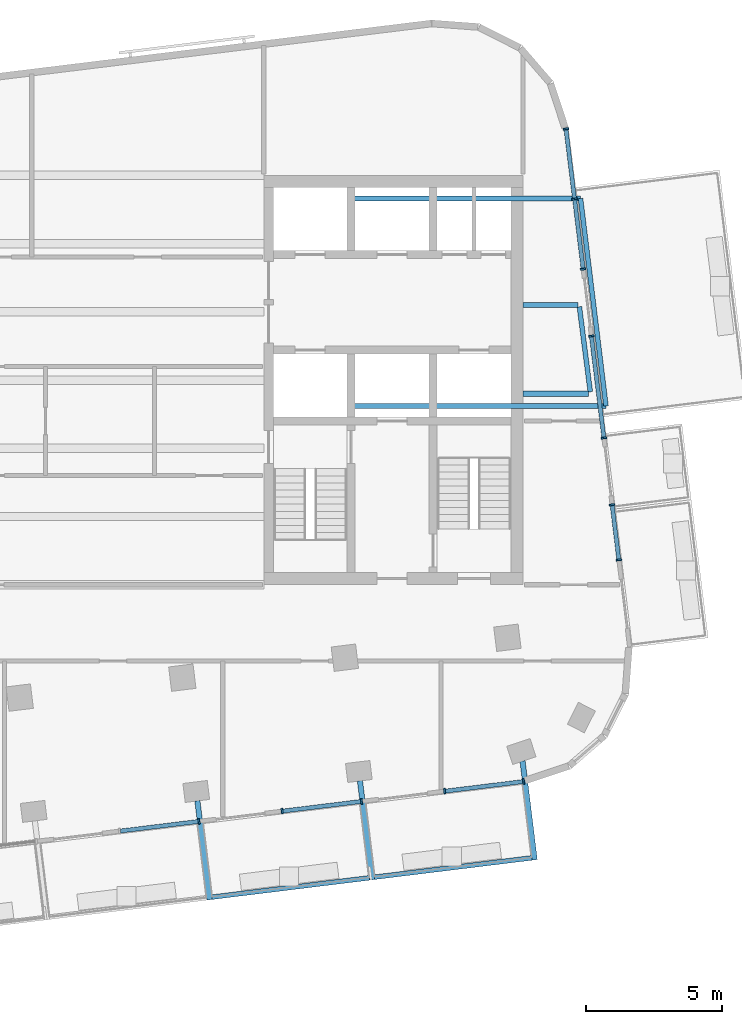
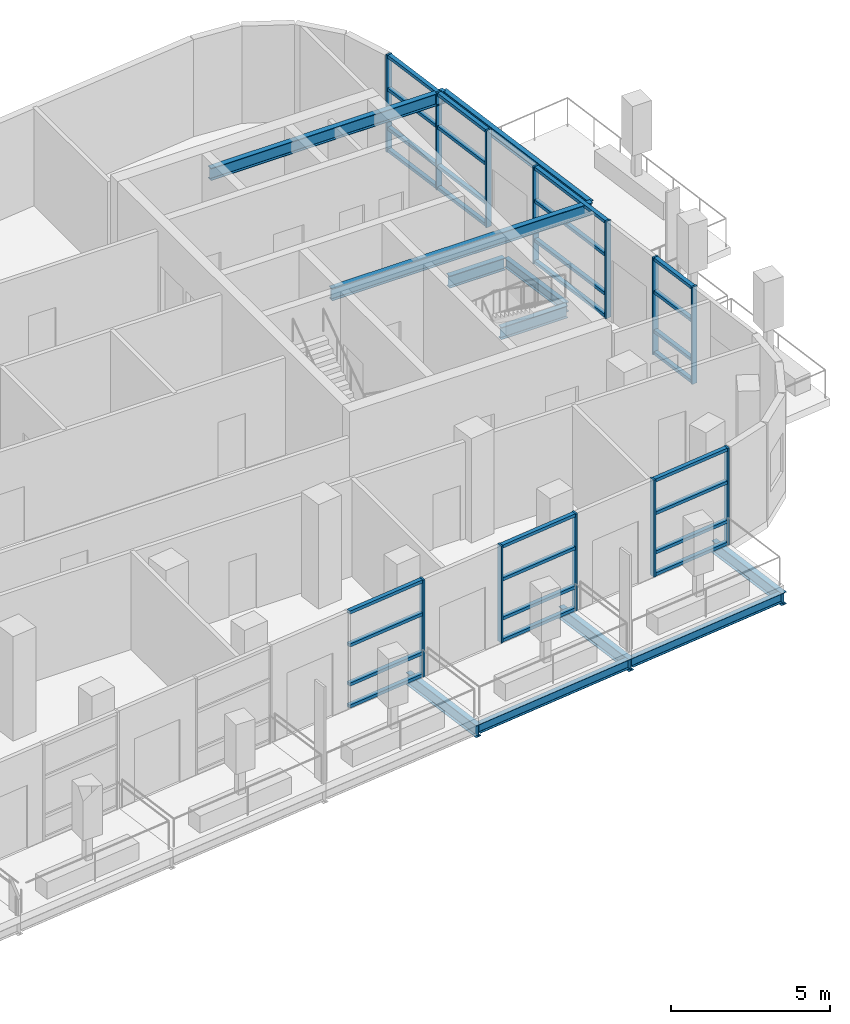
# One storey, part 4 of 14: 40 members, 11 beams, 6 elements without a shape of their own.
"""IFC4 building model written with IfcOpenShell, lengths in metres."""

import ifcopenshell
import ifcopenshell.guid

model = None  # the IFC model being written
_history = None  # IfcOwnerHistory: only IFC2X3 demands one
_inside = {}  # id of a spatial element -> (the spatial element, [elements in it])
_under = {}  # id of a project, library or spatial element -> (it, [spatial elements below it])
_declared = {}  # id of a project -> (the project, [libraries it declares])
_typed = {}  # id of a type object -> (the type object, [elements of that type])
_made_of = {}  # id of a material, layer set ... -> (it, [elements and type objects made of it])


def new_model(schema):
    """Start an empty IFC model of exactly this schema.

    Asked for "IFC4X3", IfcOpenShell would pick the latest addendum, in which some entities
    have other attributes; the version numbers below select the first issue.
    IFC2X3 requires an IfcOwnerHistory on every rooted entity: one is made here for all.
    """
    global model, _history
    if schema == "IFC4X3":
        model = ifcopenshell.file(schema_version=(4, 3, 0, 0))
    else:
        model = ifcopenshell.file(schema=schema)
    _inside.clear()
    _under.clear()
    _declared.clear()
    _typed.clear()
    _made_of.clear()
    _history = None
    if model.schema == "IFC2X3":
        org = make("IfcOrganization", Name="unknown")
        user = make(
            "IfcPersonAndOrganization",
            ThePerson=make("IfcPerson", FamilyName="unknown"),
            TheOrganization=org,
        )
        app = make(
            "IfcApplication",
            ApplicationDeveloper=org,
            Version="unknown",
            ApplicationFullName="unknown",
            ApplicationIdentifier="unknown",
        )
        _history = make(
            "IfcOwnerHistory",
            OwningUser=user,
            OwningApplication=app,
            ChangeAction="ADDED",
            CreationDate=0,
        )
    return model


def make(cls, **values):
    """One entity of the class cls with the attributes given. An attribute that is None is left unset."""
    return model.create_entity(
        cls, **{name: value for name, value in values.items() if value is not None}
    )


def rooted(cls, **values):
    """An entity with a GlobalId (a new one), such as an element, a storey or a relation."""
    return make(cls, GlobalId=ifcopenshell.guid.new(), OwnerHistory=_history, **values)


def si_unit(unit_type, name, prefix=None):
    """IfcSIUnit, for example si_unit("LENGTHUNIT", "METRE", prefix="MILLI")."""
    return make("IfcSIUnit", UnitType=unit_type, Prefix=prefix, Name=name)


def assignment(units):
    """IfcUnitAssignment: the units of a project."""
    return None if units is None else make("IfcUnitAssignment", Units=units)


def point(xyz):
    """IfcCartesianPoint."""
    return None if xyz is None else make("IfcCartesianPoint", Coordinates=xyz)


def direction(xyz):
    """IfcDirection."""
    return None if xyz is None else make("IfcDirection", DirectionRatios=xyz)


def frame(location, z_axis=None, x_axis=None):
    """IfcAxis2Placement3D, a coordinate frame: its origin and axes. An axis left out is left unset."""
    return make(
        "IfcAxis2Placement3D",
        Location=point(location),
        Axis=direction(z_axis),
        RefDirection=direction(x_axis),
    )


def frame_2d(location, x_axis=None):
    """IfcAxis2Placement2D, a coordinate frame in the plane: its origin and x axis."""
    return make(
        "IfcAxis2Placement2D", Location=point(location), RefDirection=direction(x_axis)
    )


def origin():
    """The frame at (0, 0, 0) with its axes left unset."""
    return frame((0.0, 0.0, 0.0))


def origin_2d():
    """The frame at (0, 0) in the plane with its x axis left unset."""
    return frame_2d((0.0, 0.0))


def place(relative_to, where):
    """IfcLocalPlacement: puts the frame where relative to a parent placement (None: the world)."""
    return make(
        "IfcLocalPlacement", PlacementRelTo=relative_to, RelativePlacement=where
    )


def context(
    kind, dimensions, precision=None, world=None, true_north=None, identifier=None
):
    """IfcGeometricRepresentationContext, for example the 3D "Model" context."""
    return make(
        "IfcGeometricRepresentationContext",
        ContextIdentifier=identifier,
        ContextType=kind,
        CoordinateSpaceDimension=dimensions,
        Precision=precision,
        WorldCoordinateSystem=world,
        TrueNorth=true_north,
    )


def subcontext(parent, identifier, kind, view, scale=None):
    """IfcGeometricRepresentationSubContext, for example "Body" below "Model"."""
    return make(
        "IfcGeometricRepresentationSubContext",
        ContextIdentifier=identifier,
        ContextType=kind,
        ParentContext=parent,
        TargetScale=scale,
        TargetView=view,
    )


def project(units=None, contexts=None):
    """IfcProject with its units and contexts."""
    return rooted(
        "IfcProject",
        Name="project",
        RepresentationContexts=contexts,
        UnitsInContext=assignment(units),
    )


def spatial(cls, under=None, at=None, **own):
    """A site, building, storey or space (cls), placed at a placement, below another one or the project."""
    s = rooted(cls, ObjectPlacement=at, **own)
    if under is not None:
        _under.setdefault(under.id(), (under, []))[1].append(s)
    return s


def profile(cls, at=None, kind="AREA", **sizes):
    """A parametric profile (cls). Its sizes go by their IFC names, for example OverallWidth=200.0."""
    return make(cls, ProfileType=kind, Position=at, **sizes)


def rectangle(**sizes):
    """IfcRectangleProfileDef."""
    return profile("IfcRectangleProfileDef", **sizes)


def i_section(**sizes):
    """IfcIShapeProfileDef."""
    return profile("IfcIShapeProfileDef", **sizes)


def extrude(swept, where, along, depth):
    """IfcExtrudedAreaSolid: the profile swept, set in the frame where, extruded along a direction by depth."""
    return make(
        "IfcExtrudedAreaSolid",
        SweptArea=swept,
        Position=where,
        ExtrudedDirection=direction(along),
        Depth=depth,
    )


def shape(context_of_items, identifier, shape_type, items):
    """IfcShapeRepresentation: the items that make up one representation, for example the "Body"."""
    return make(
        "IfcShapeRepresentation",
        ContextOfItems=context_of_items,
        RepresentationIdentifier=identifier,
        RepresentationType=shape_type,
        Items=items,
    )


def material(Name=None, Category=None):
    """IfcMaterial."""
    return make("IfcMaterial", Name=Name, Category=Category)


def layer(
    of_material, thickness, ventilated=None, Name=None, Category=None, Priority=None
):
    """IfcMaterialLayer: one layer of a wall or slab, of a material (None: an air gap)."""
    return make(
        "IfcMaterialLayer",
        Material=of_material,
        LayerThickness=thickness,
        IsVentilated=ventilated,
        Name=Name,
        Category=Category,
        Priority=Priority,
    )


def layer_set(layers, Name=None):
    """IfcMaterialLayerSet."""
    return make("IfcMaterialLayerSet", MaterialLayers=layers, LayerSetName=Name)


def material_profile(
    of_material, cross_section, Name=None, Category=None, Priority=None
):
    """IfcMaterialProfile: a cross section and its material."""
    return make(
        "IfcMaterialProfile",
        Name=Name,
        Material=of_material,
        Profile=cross_section,
        Priority=Priority,
        Category=Category,
    )


def profile_set(profiles, Name=None, composite=None):
    """IfcMaterialProfileSet."""
    return make(
        "IfcMaterialProfileSet",
        Name=Name,
        MaterialProfiles=profiles,
        CompositeProfile=composite,
    )


def made_of(thing, what):
    """Note that an element or type object is made of a material, layer set ...; save() writes the relation."""
    if what is not None:
        _made_of.setdefault(what.id(), (what, []))[1].append(thing)
    return thing


def type_object(cls, material=None, **own):
    """A type object (cls), such as IfcWallType, which elements share."""
    return made_of(rooted(cls, **own), material)


def element(
    cls,
    number,
    at=None,
    inside=None,
    cuts=None,
    type_object=None,
    material=None,
    context=None,
    identifier="Body",
    shape_type=None,
    held_by="IfcProductDefinitionShape",
    body=None,
    shapes=None,
    **own,
):
    """One element of the class cls, such as IfcWall. Its Tag is "e" and its number.

    at: its placement. inside: the storey or other place that contains it. cuts: it is an
    opening in that element (IfcRelVoidsElement). A single representation is given by context,
    identifier, shape_type and body (its items); several are given by shapes. held_by: the class
    of the entity that holds the representations. save() writes the other relations.
    """
    e = rooted(cls, Tag="e%d" % number, ObjectPlacement=at, **own)
    if body is not None:
        shapes = [shape(context, identifier, shape_type, body)]
    if shapes is not None:
        e.Representation = make(held_by, Representations=shapes)
    if inside is not None:
        _inside.setdefault(inside.id(), (inside, []))[1].append(e)
    if cuts is not None:
        rooted(
            "IfcRelVoidsElement", RelatingBuildingElement=cuts, RelatedOpeningElement=e
        )
    if type_object is not None:
        _typed.setdefault(type_object.id(), (type_object, []))[1].append(e)
    return made_of(e, material)


def aggregate(whole, parts):
    """IfcRelAggregates: a whole, such as a stair, and the parts it consists of."""
    return rooted("IfcRelAggregates", RelatingObject=whole, RelatedObjects=parts)


def save(model, path):
    """Write the relations noted so far, then the file.

    IfcRelAggregates (storeys below a building ...), IfcRelContainedInSpatialStructure (elements
    in a storey), IfcRelDefinesByType, IfcRelAssociatesMaterial and IfcRelDeclares: one each for
    every whole, place, type object, material and project.
    """
    for whole, parts in _under.values():
        aggregate(whole, parts)
    for where, things in _inside.values():
        rooted(
            "IfcRelContainedInSpatialStructure",
            RelatedElements=things,
            RelatingStructure=where,
        )
    for kind, things in _typed.values():
        rooted("IfcRelDefinesByType", RelatedObjects=things, RelatingType=kind)
    for what, things in _made_of.values():
        rooted("IfcRelAssociatesMaterial", RelatedObjects=things, RelatingMaterial=what)
    for by, libraries in _declared.values():
        rooted("IfcRelDeclares", RelatingContext=by, RelatedDefinitions=libraries)
    model.write(path)


model = new_model("IFC4")

# Units and contexts
model_context = context("Model", 3, precision=1e-05, world=origin(), true_north=direction((0.0, 1.0)))
body_context = subcontext(model_context, "Body", "Model", "MODEL_VIEW")
ifc_project = project(units=[si_unit("LENGTHUNIT", "METRE"), si_unit("AREAUNIT", "SQUARE_METRE"), si_unit("VOLUMEUNIT", "CUBIC_METRE"), si_unit("PLANEANGLEUNIT", "RADIAN"), si_unit("MASSUNIT", "GRAM", prefix="KILO")], contexts=[model_context])

# Site, building, storey
site_placement = place(None, origin())
site = spatial("IfcSite", under=ifc_project, at=site_placement, CompositionType="ELEMENT")
building_placement = place(site_placement, origin())
building = spatial("IfcBuilding", under=site, at=building_placement, Name="Torana Hotel and Residences", CompositionType="ELEMENT")
storey_placement = place(building_placement, frame((0.0, 0.0, 338.60009765625)))
storey = spatial("IfcBuildingStorey", under=building, at=storey_placement, Name="L89", CompositionType="ELEMENT", Elevation=338.60009765625)

# Beams
ifc_material_1 = material(Name="Steel S355", Category="steel")
ifc_material_profile_1 = material_profile(ifc_material_1, i_section(OverallWidth=0.19287109375, OverallDepth=0.46728515625, WebThickness=0.011474609375, FlangeThickness=0.01953125, FilletRadius=0.01025390625, at=origin_2d()), Name="457x191x98 UB")
ifc_profile_set_1 = profile_set([ifc_material_profile_1], Name="Steel S355")
beam_type_1 = type_object("IfcBeamType", Name="BALCONY CANTILEVER BEAM 457x191x98 UB", PredefinedType="BEAM", material=ifc_profile_set_1)
beam_1_placement = place(storey_placement, frame((7.568359375, -22.910400390625, -0.513671875), z_axis=(0.122014669663, -0.992528297021, 0.0), x_axis=(0.992528297021, 0.122014669663, 0.0)))
element("IfcBeam", 1, at=beam_1_placement, inside=storey, type_object=beam_type_1, Name="Balcony cantilever beam", PredefinedType="BEAM", context=body_context, shape_type="SweptSolid", body=[
    extrude(i_section(OverallWidth=0.19287109375, OverallDepth=0.46728515625, WebThickness=0.011474609375, FlangeThickness=0.01953125, FilletRadius=0.01025390625, at=origin_2d()), origin(), (0.0, 0.0, 1.0), 3.65966796875),
])
beam_2_placement = place(storey_placement, frame((13.5244140625, -22.178466796875, -0.513671875), z_axis=(0.12179331453, -0.992555483858, 0.0), x_axis=(0.992555483858, 0.12179331453, 0.0)))
element("IfcBeam", 2, at=beam_2_placement, inside=storey, type_object=beam_type_1, Name="Balcony cantilever beam", PredefinedType="BEAM", context=body_context, shape_type="SweptSolid", body=[
    extrude(i_section(OverallWidth=0.19287109375, OverallDepth=0.46728515625, WebThickness=0.011474609375, FlangeThickness=0.01953125, FilletRadius=0.01025390625, at=origin_2d()), origin(), (0.0, 0.0, 1.0), 3.660400390625),
])
beam_3_placement = place(storey_placement, frame((19.480224609375, -21.454345703125, -0.513671875), z_axis=(0.12183008487, -0.992550971195, 0.0), x_axis=(0.992550971195, 0.12183008487, 0.0)))
element("IfcBeam", 3, at=beam_3_placement, inside=storey, type_object=beam_type_1, Name="Balcony cantilever beam", PredefinedType="BEAM", context=body_context, shape_type="SweptSolid", body=[
    extrude(i_section(OverallWidth=0.19287109375, OverallDepth=0.46728515625, WebThickness=0.011474609375, FlangeThickness=0.01953125, FilletRadius=0.01025390625, at=origin_2d()), origin(), (0.0, 0.0, 1.0), 3.653076171875),
])
beam_4_placement = place(storey_placement, frame((19.489990234375, -8.0, -0.513671875), z_axis=(1.0, 0.0, 0.0), x_axis=(0.0, 1.0, 0.0)))
element("IfcBeam", 4, at=beam_4_placement, inside=storey, type_object=beam_type_1, Name="Balcony cantilever beam", PredefinedType="BEAM", context=body_context, shape_type="SweptSolid", body=[
    extrude(i_section(OverallWidth=0.19287109375, OverallDepth=0.46728515625, WebThickness=0.011474609375, FlangeThickness=0.01953125, FilletRadius=0.01025390625, at=origin_2d()), origin(), (0.0, 0.0, 1.0), 2.41552734375),
])
beam_5_placement = place(storey_placement, frame((19.489990234375, -4.75, -0.513671875), z_axis=(1.0, 0.0, 0.0), x_axis=(0.0, 1.0, 0.0)))
element("IfcBeam", 5, at=beam_5_placement, inside=storey, type_object=beam_type_1, Name="Balcony cantilever beam", PredefinedType="BEAM", context=body_context, shape_type="SweptSolid", body=[
    extrude(i_section(OverallWidth=0.19287109375, OverallDepth=0.46728515625, WebThickness=0.011474609375, FlangeThickness=0.01953125, FilletRadius=0.01025390625, at=origin_2d()), origin(), (0.0, 0.0, 1.0), 2.016357421875),
])
beam_6_placement = place(storey_placement, frame((22.537353515625, -8.449951171875, 3.486328125), z_axis=(-1.0, 0.0, 0.0), x_axis=(0.0, -1.0, 0.0)))
element("IfcBeam", 6, at=beam_6_placement, inside=storey, type_object=beam_type_1, Name="Balcony cantilever beam", PredefinedType="BEAM", context=body_context, shape_type="SweptSolid", body=[
    extrude(i_section(OverallWidth=0.19287109375, OverallDepth=0.46728515625, WebThickness=0.011474609375, FlangeThickness=0.01953125, FilletRadius=0.01025390625, at=origin_2d()), origin(), (0.0, 0.0, 1.0), 9.437255859375),
])
beam_7_placement = place(storey_placement, frame((21.60400390625, -0.85009765625, 3.486328125), z_axis=(-1.0, 0.0, 0.0), x_axis=(0.0, -1.0, 0.0)))
element("IfcBeam", 7, at=beam_7_placement, inside=storey, type_object=beam_type_1, Name="Balcony cantilever beam", PredefinedType="BEAM", context=body_context, shape_type="SweptSolid", body=[
    extrude(i_section(OverallWidth=0.19287109375, OverallDepth=0.46728515625, WebThickness=0.011474609375, FlangeThickness=0.01953125, FilletRadius=0.01025390625, at=origin_2d()), origin(), (0.0, 0.0, 1.0), 8.50390625),
])
ifc_material_2 = material(Name="Steel S355", Category="steel")
ifc_material_profile_2 = material_profile(ifc_material_2, i_section(OverallWidth=0.173095703125, OverallDepth=0.36328125, WebThickness=0.009033203125, FlangeThickness=0.015625, FilletRadius=0.01025390625, at=origin_2d()), Name="356x171x67 UB")
ifc_profile_set_2 = profile_set([ifc_material_profile_2], Name="Steel S355")
beam_type_2 = type_object("IfcBeamType", Name="BALCONY TIP BEAM 356x171x67 UB", PredefinedType="BEAM", material=ifc_profile_set_2)
beam_8_placement = place(storey_placement, frame((13.8935546875, -25.733642578125, -0.4619140625), z_axis=(-0.992544426795, -0.121883390327, 0.0), x_axis=(0.121883390327, -0.992544426795, 0.0)))
element("IfcBeam", 8, at=beam_8_placement, inside=storey, type_object=beam_type_2, Name="Balcony tip beam", PredefinedType="BEAM", context=body_context, shape_type="SweptSolid", body=[
    extrude(i_section(OverallWidth=0.173095703125, OverallDepth=0.36328125, WebThickness=0.009033203125, FlangeThickness=0.015625, FilletRadius=0.01025390625, at=origin_2d()), origin(), (0.0, 0.0, 1.0), 5.866943359375),
])
beam_9_placement = place(storey_placement, frame((19.848876953125, -25.00244140625, -0.4619140625), z_axis=(-0.992545044936, -0.121878356459, 0.0), x_axis=(0.121878356459, -0.992545044936, 0.0)))
element("IfcBeam", 9, at=beam_9_placement, inside=storey, type_object=beam_type_2, Name="Balcony tip beam", PredefinedType="BEAM", context=body_context, shape_type="SweptSolid", body=[
    extrude(i_section(OverallWidth=0.173095703125, OverallDepth=0.36328125, WebThickness=0.009033203125, FlangeThickness=0.015625, FilletRadius=0.01025390625, at=origin_2d()), origin(), (0.0, 0.0, 1.0), 5.8671875),
])
beam_10_placement = place(storey_placement, frame((21.9619140625, -7.93359375, -0.4619140625), z_axis=(-0.126940899221, 0.991910282286, 0.0), x_axis=(-0.991910282286, -0.126940899221, 0.0)))
element("IfcBeam", 10, at=beam_10_placement, inside=storey, type_object=beam_type_2, Name="Balcony tip beam", PredefinedType="BEAM", context=body_context, shape_type="SweptSolid", body=[
    extrude(i_section(OverallWidth=0.173095703125, OverallDepth=0.36328125, WebThickness=0.009033203125, FlangeThickness=0.015625, FilletRadius=0.01025390625, at=origin_2d()), origin(), (0.0, 0.0, 1.0), 3.142578125),
])
beam_11_placement = place(storey_placement, frame((22.537353515625, -8.449951171875, 3.5380859375), z_axis=(-0.1218957101, 0.992542913863, 0.0), x_axis=(-0.992542913863, -0.1218957101, 0.0)))
element("IfcBeam", 11, at=beam_11_placement, inside=storey, type_object=beam_type_2, Name="Balcony tip beam", PredefinedType="BEAM", context=body_context, shape_type="SweptSolid", body=[
    extrude(i_section(OverallWidth=0.173095703125, OverallDepth=0.36328125, WebThickness=0.009033203125, FlangeThickness=0.015625, FilletRadius=0.01025390625, at=origin_2d()), origin(), (0.0, 0.0, 1.0), 7.656982421875),
])

# Curtain wall, member
ifc_material_3 = material(Name="Dark anodised aluminium", Category="aluminium")
ifc_layer = layer(ifc_material_3, 0.199951171875)
ifc_layer_set = layer_set([ifc_layer], Name="CW3 SKY CLUB UNITISED CURTAIN WALL")
curtain_wall_type = type_object("IfcCurtainWallType", Name="CW3 SKY CLUB UNITISED CURTAIN WALL", PredefinedType="NOTDEFINED", material=ifc_layer_set)
curtain_wall_1_placement = place(storey_placement, origin())
curtain_wall_1 = element("IfcCurtainWall", 12, at=curtain_wall_1_placement, inside=storey, type_object=curtain_wall_type, Name="Curtain wall CW3 L89 e0.14-8", PredefinedType="NOTDEFINED")
ifc_material_4 = material(Name="Dark anodised aluminium", Category="aluminium")
ifc_material_profile_3 = material_profile(ifc_material_4, rectangle(XDim=0.199951171875, YDim=0.070068359375, at=origin_2d()), Name="CW3 MULLION 70x200")
ifc_profile_set_3 = profile_set([ifc_material_profile_3], Name="Dark anodised aluminium")
member_type_1 = type_object("IfcMemberType", Name="CW3 MULLION 70x200", PredefinedType="MULLION", material=ifc_profile_set_3)
member_1_placement = place(storey_placement, frame((7.626708984375, -23.668701171875, 0.0), z_axis=(0.0, 0.0, 1.0), x_axis=(-0.121868256929, 0.992546285043, 0.0)))
member_1 = element("IfcMember", 13, at=member_1_placement, type_object=member_type_1, Name="CW3 mullion 2", PredefinedType="MULLION", context=body_context, shape_type="SweptSolid", body=[
    extrude(rectangle(XDim=0.199951171875, YDim=0.070068359375, at=origin_2d()), origin(), (0.0, 0.0, 1.0), 3.719970703125),
])

# Curtain wall, members
curtain_wall_2_placement = place(storey_placement, origin())
curtain_wall_2 = element("IfcCurtainWall", 14, at=curtain_wall_2_placement, inside=storey, type_object=curtain_wall_type, Name="Curtain wall CW3 L89 e0.14-10", PredefinedType="NOTDEFINED")
member_2_placement = place(storey_placement, frame((10.673828125, -23.29443359375, 0.0), z_axis=(0.0, 0.0, 1.0), x_axis=(-0.121868256929, 0.992546285043, 0.0)))
member_2 = element("IfcMember", 15, at=member_2_placement, type_object=member_type_1, Name="CW3 mullion 1", PredefinedType="MULLION", context=body_context, shape_type="SweptSolid", body=[
    extrude(rectangle(XDim=0.199951171875, YDim=0.070068359375, at=origin_2d()), origin(), (0.0, 0.0, 1.0), 3.719970703125),
])
member_3_placement = place(storey_placement, frame((13.58203125, -22.9375, 0.0), z_axis=(0.0, 0.0, 1.0), x_axis=(-0.121868256929, 0.992546285043, 0.0)))
member_3 = element("IfcMember", 16, at=member_3_placement, type_object=member_type_1, Name="CW3 mullion 2", PredefinedType="MULLION", context=body_context, shape_type="SweptSolid", body=[
    extrude(rectangle(XDim=0.199951171875, YDim=0.070068359375, at=origin_2d()), origin(), (0.0, 0.0, 1.0), 3.719970703125),
])

curtain_wall_3_placement = place(storey_placement, origin())
curtain_wall_3 = element("IfcCurtainWall", 17, at=curtain_wall_3_placement, inside=storey, type_object=curtain_wall_type, Name="Curtain wall CW3 L89 e0.14-12", PredefinedType="NOTDEFINED")
member_4_placement = place(storey_placement, frame((16.629150390625, -22.563232421875, 0.0), z_axis=(0.0, 0.0, 1.0), x_axis=(-0.121862839581, 0.992546950189, 0.0)))
member_4 = element("IfcMember", 18, at=member_4_placement, type_object=member_type_1, Name="CW3 mullion 1", PredefinedType="MULLION", context=body_context, shape_type="SweptSolid", body=[
    extrude(rectangle(XDim=0.199951171875, YDim=0.070068359375, at=origin_2d()), origin(), (0.0, 0.0, 1.0), 3.719970703125),
])
member_5_placement = place(storey_placement, frame((19.512939453125, -22.209228515625, 0.0), z_axis=(0.0, 0.0, 1.0), x_axis=(-0.121862839581, 0.992546950189, 0.0)))
member_5 = element("IfcMember", 19, at=member_5_placement, type_object=member_type_1, Name="CW3 mullion 2", PredefinedType="MULLION", context=body_context, shape_type="SweptSolid", body=[
    extrude(rectangle(XDim=0.199951171875, YDim=0.070068359375, at=origin_2d()), origin(), (0.0, 0.0, 1.0), 3.719970703125),
])

curtain_wall_4_placement = place(storey_placement, origin())
curtain_wall_4 = element("IfcCurtainWall", 20, at=curtain_wall_4_placement, inside=storey, type_object=curtain_wall_type, Name="Curtain wall CW3 L89 e0.19-2", PredefinedType="NOTDEFINED")
member_6_placement = place(storey_placement, frame((23.0087890625, -14.087646484375, 0.0), z_axis=(0.0, 0.0, 1.0), x_axis=(-0.992540827019, -0.121912701141, 0.0)))
member_6 = element("IfcMember", 21, at=member_6_placement, type_object=member_type_1, Name="CW3 mullion 1", PredefinedType="MULLION", context=body_context, shape_type="SweptSolid", body=[
    extrude(rectangle(XDim=0.199951171875, YDim=0.070068359375, at=origin_2d()), origin(), (0.0, 0.0, 1.0), 3.719970703125),
])
member_7_placement = place(storey_placement, frame((22.76123046875, -12.072998046875, 0.0), z_axis=(0.0, 0.0, 1.0), x_axis=(-0.992540827019, -0.121912701141, 0.0)))
member_7 = element("IfcMember", 22, at=member_7_placement, type_object=member_type_1, Name="CW3 mullion 2", PredefinedType="MULLION", context=body_context, shape_type="SweptSolid", body=[
    extrude(rectangle(XDim=0.199951171875, YDim=0.070068359375, at=origin_2d()), origin(), (0.0, 0.0, 1.0), 3.719970703125),
])

curtain_wall_5_placement = place(storey_placement, origin())
curtain_wall_5 = element("IfcCurtainWall", 23, at=curtain_wall_5_placement, inside=storey, type_object=curtain_wall_type, Name="Curtain wall CW3 L89 e0.19-4", PredefinedType="NOTDEFINED")
member_8_placement = place(storey_placement, frame((22.46044921875, -9.621337890625, 0.0), z_axis=(0.0, 0.0, 1.0), x_axis=(-0.992544175414, -0.121885437403, 0.0)))
member_8 = element("IfcMember", 24, at=member_8_placement, type_object=member_type_1, Name="CW3 mullion 1", PredefinedType="MULLION", context=body_context, shape_type="SweptSolid", body=[
    extrude(rectangle(XDim=0.199951171875, YDim=0.070068359375, at=origin_2d()), origin(), (0.0, 0.0, 1.0), 3.719970703125),
])
member_9_placement = place(storey_placement, frame((22.001953125, -5.887939453125, 0.0), z_axis=(0.0, 0.0, 1.0), x_axis=(-0.992544175414, -0.121885437403, 0.0)))
member_9 = element("IfcMember", 25, at=member_9_placement, type_object=member_type_1, Name="CW3 mullion 2", PredefinedType="MULLION", context=body_context, shape_type="SweptSolid", body=[
    extrude(rectangle(XDim=0.199951171875, YDim=0.070068359375, at=origin_2d()), origin(), (0.0, 0.0, 1.0), 3.719970703125),
])

curtain_wall_6_placement = place(storey_placement, origin())
curtain_wall_6 = element("IfcCurtainWall", 26, at=curtain_wall_6_placement, inside=storey, type_object=curtain_wall_type, Name="Curtain wall CW3 L89 e0.19-6", PredefinedType="NOTDEFINED")
member_10_placement = place(storey_placement, frame((21.700927734375, -3.436279296875, 0.0), z_axis=(0.0, 0.0, 1.0), x_axis=(-0.992546004929, -0.121870538273, 0.0)))
member_10 = element("IfcMember", 27, at=member_10_placement, type_object=member_type_1, Name="CW3 mullion 1", PredefinedType="MULLION", context=body_context, shape_type="SweptSolid", body=[
    extrude(rectangle(XDim=0.199951171875, YDim=0.070068359375, at=origin_2d()), origin(), (0.0, 0.0, 1.0), 3.719970703125),
])
member_11_placement = place(storey_placement, frame((21.385498046875, -0.86865234375, 0.0), z_axis=(0.0, 0.0, 1.0), x_axis=(-0.992546004929, -0.121870538273, 0.0)))
member_11 = element("IfcMember", 28, at=member_11_placement, type_object=member_type_1, Name="CW3 mullion 2", PredefinedType="MULLION", context=body_context, shape_type="SweptSolid", body=[
    extrude(rectangle(XDim=0.199951171875, YDim=0.070068359375, at=origin_2d()), origin(), (0.0, 0.0, 1.0), 3.719970703125),
])
member_12_placement = place(storey_placement, frame((21.0703125, 1.69921875, 0.0), z_axis=(0.0, 0.0, 1.0), x_axis=(-0.992546004929, -0.121870538273, 0.0)))
member_12 = element("IfcMember", 29, at=member_12_placement, type_object=member_type_1, Name="CW3 mullion 3", PredefinedType="MULLION", context=body_context, shape_type="SweptSolid", body=[
    extrude(rectangle(XDim=0.199951171875, YDim=0.070068359375, at=origin_2d()), origin(), (0.0, 0.0, 1.0), 3.719970703125),
])

# Member
ifc_material_5 = material(Name="Dark anodised aluminium", Category="aluminium")
ifc_material_profile_4 = material_profile(ifc_material_5, rectangle(XDim=0.14990234375, YDim=0.1201171875, at=origin_2d()), Name="CW3 TRANSOM 150x120")
ifc_profile_set_4 = profile_set([ifc_material_profile_4], Name="Dark anodised aluminium")
member_type_2 = type_object("IfcMemberType", Name="CW3 TRANSOM 150x120", PredefinedType="USERDEFINED", material=ifc_profile_set_4)
member_13_placement = place(storey_placement, frame((4.753173828125, -24.021484375, 0.059814453125), z_axis=(0.992543455277, 0.121891301525, 0.0), x_axis=(-0.121891301525, 0.992543455277, 0.0)))
member_13 = element("IfcMember", 30, at=member_13_placement, type_object=member_type_2, Name="CW3 transom 1.1", ObjectType="TRANSOM", PredefinedType="USERDEFINED", context=body_context, shape_type="SweptSolid", body=[
    extrude(rectangle(XDim=0.14990234375, YDim=0.1201171875, at=origin_2d()), origin(), (0.0, 0.0, 1.0), 2.860107421875),
])

member_14_placement = place(storey_placement, frame((4.753173828125, -24.021484375, 0.89990234375), z_axis=(0.992543455277, 0.121891301525, 0.0), x_axis=(-0.121891301525, 0.992543455277, 0.0)))
member_14 = element("IfcMember", 31, at=member_14_placement, type_object=member_type_2, Name="CW3 transom 1.2", ObjectType="TRANSOM", PredefinedType="USERDEFINED", context=body_context, shape_type="SweptSolid", body=[
    extrude(rectangle(XDim=0.14990234375, YDim=0.1201171875, at=origin_2d()), origin(), (0.0, 0.0, 1.0), 2.860107421875),
])

member_15_placement = place(storey_placement, frame((4.753173828125, -24.021484375, 2.39990234375), z_axis=(0.992543455277, 0.121891301525, 0.0), x_axis=(-0.121891301525, 0.992543455277, 0.0)))
member_15 = element("IfcMember", 32, at=member_15_placement, type_object=member_type_2, Name="CW3 transom 1.3", ObjectType="TRANSOM", PredefinedType="USERDEFINED", context=body_context, shape_type="SweptSolid", body=[
    extrude(rectangle(XDim=0.14990234375, YDim=0.1201171875, at=origin_2d()), origin(), (0.0, 0.0, 1.0), 2.860107421875),
])

member_16_placement = place(storey_placement, frame((4.753173828125, -24.021484375, 3.659912109375), z_axis=(0.992543455277, 0.121891301525, 0.0), x_axis=(-0.121891301525, 0.992543455277, 0.0)))
member_16 = element("IfcMember", 33, at=member_16_placement, type_object=member_type_2, Name="CW3 transom 1.4", ObjectType="TRANSOM", PredefinedType="USERDEFINED", context=body_context, shape_type="SweptSolid", body=[
    extrude(rectangle(XDim=0.14990234375, YDim=0.1201171875, at=origin_2d()), origin(), (0.0, 0.0, 1.0), 2.860107421875),
])

aggregate(curtain_wall_1, [member_1, member_13, member_14, member_15, member_16])

member_17_placement = place(storey_placement, frame((10.70849609375, -23.290283203125, 0.059814453125), z_axis=(0.992542186909, 0.121901629217, 0.0), x_axis=(-0.121901629217, 0.992542186909, 0.0)))
member_17 = element("IfcMember", 34, at=member_17_placement, type_object=member_type_2, Name="CW3 transom 1.1", ObjectType="TRANSOM", PredefinedType="USERDEFINED", context=body_context, shape_type="SweptSolid", body=[
    extrude(rectangle(XDim=0.14990234375, YDim=0.1201171875, at=origin_2d()), origin(), (0.0, 0.0, 1.0), 2.85986328125),
])

member_18_placement = place(storey_placement, frame((10.70849609375, -23.290283203125, 0.89990234375), z_axis=(0.992542186909, 0.121901629217, 0.0), x_axis=(-0.121901629217, 0.992542186909, 0.0)))
member_18 = element("IfcMember", 35, at=member_18_placement, type_object=member_type_2, Name="CW3 transom 1.2", ObjectType="TRANSOM", PredefinedType="USERDEFINED", context=body_context, shape_type="SweptSolid", body=[
    extrude(rectangle(XDim=0.14990234375, YDim=0.1201171875, at=origin_2d()), origin(), (0.0, 0.0, 1.0), 2.85986328125),
])

member_19_placement = place(storey_placement, frame((10.70849609375, -23.290283203125, 2.39990234375), z_axis=(0.992542186909, 0.121901629217, 0.0), x_axis=(-0.121901629217, 0.992542186909, 0.0)))
member_19 = element("IfcMember", 36, at=member_19_placement, type_object=member_type_2, Name="CW3 transom 1.3", ObjectType="TRANSOM", PredefinedType="USERDEFINED", context=body_context, shape_type="SweptSolid", body=[
    extrude(rectangle(XDim=0.14990234375, YDim=0.1201171875, at=origin_2d()), origin(), (0.0, 0.0, 1.0), 2.85986328125),
])

member_20_placement = place(storey_placement, frame((10.70849609375, -23.290283203125, 3.659912109375), z_axis=(0.992542186909, 0.121901629217, 0.0), x_axis=(-0.121901629217, 0.992542186909, 0.0)))
member_20 = element("IfcMember", 37, at=member_20_placement, type_object=member_type_2, Name="CW3 transom 1.4", ObjectType="TRANSOM", PredefinedType="USERDEFINED", context=body_context, shape_type="SweptSolid", body=[
    extrude(rectangle(XDim=0.14990234375, YDim=0.1201171875, at=origin_2d()), origin(), (0.0, 0.0, 1.0), 2.85986328125),
])

aggregate(curtain_wall_2, [member_2, member_3, member_17, member_18, member_19, member_20])

member_21_placement = place(storey_placement, frame((16.663818359375, -22.55908203125, 0.059814453125), z_axis=(0.992549667858, 0.1218407027, 0.0), x_axis=(-0.1218407027, 0.992549667858, 0.0)))
member_21 = element("IfcMember", 38, at=member_21_placement, type_object=member_type_2, Name="CW3 transom 1.1", ObjectType="TRANSOM", PredefinedType="USERDEFINED", context=body_context, shape_type="SweptSolid", body=[
    extrude(rectangle(XDim=0.14990234375, YDim=0.1201171875, at=origin_2d()), origin(), (0.0, 0.0, 1.0), 2.83544921875),
])

member_22_placement = place(storey_placement, frame((16.663818359375, -22.55908203125, 0.89990234375), z_axis=(0.992549667858, 0.1218407027, 0.0), x_axis=(-0.1218407027, 0.992549667858, 0.0)))
member_22 = element("IfcMember", 39, at=member_22_placement, type_object=member_type_2, Name="CW3 transom 1.2", ObjectType="TRANSOM", PredefinedType="USERDEFINED", context=body_context, shape_type="SweptSolid", body=[
    extrude(rectangle(XDim=0.14990234375, YDim=0.1201171875, at=origin_2d()), origin(), (0.0, 0.0, 1.0), 2.83544921875),
])

member_23_placement = place(storey_placement, frame((16.663818359375, -22.55908203125, 2.39990234375), z_axis=(0.992549667858, 0.1218407027, 0.0), x_axis=(-0.1218407027, 0.992549667858, 0.0)))
member_23 = element("IfcMember", 40, at=member_23_placement, type_object=member_type_2, Name="CW3 transom 1.3", ObjectType="TRANSOM", PredefinedType="USERDEFINED", context=body_context, shape_type="SweptSolid", body=[
    extrude(rectangle(XDim=0.14990234375, YDim=0.1201171875, at=origin_2d()), origin(), (0.0, 0.0, 1.0), 2.83544921875),
])

member_24_placement = place(storey_placement, frame((16.663818359375, -22.55908203125, 3.659912109375), z_axis=(0.992549667858, 0.1218407027, 0.0), x_axis=(-0.1218407027, 0.992549667858, 0.0)))
member_24 = element("IfcMember", 41, at=member_24_placement, type_object=member_type_2, Name="CW3 transom 1.4", ObjectType="TRANSOM", PredefinedType="USERDEFINED", context=body_context, shape_type="SweptSolid", body=[
    extrude(rectangle(XDim=0.14990234375, YDim=0.1201171875, at=origin_2d()), origin(), (0.0, 0.0, 1.0), 2.83544921875),
])

aggregate(curtain_wall_3, [member_4, member_5, member_21, member_22, member_23, member_24])

member_25_placement = place(storey_placement, frame((23.00439453125, -14.052978515625, 0.059814453125), z_axis=(-0.121826713669, 0.992551384985, 0.0), x_axis=(-0.992551384985, -0.121826713669, 0.0)))
member_25 = element("IfcMember", 42, at=member_25_placement, type_object=member_type_2, Name="CW3 transom 1.1", ObjectType="TRANSOM", PredefinedType="USERDEFINED", context=body_context, shape_type="SweptSolid", body=[
    extrude(rectangle(XDim=0.14990234375, YDim=0.1201171875, at=origin_2d()), origin(), (0.0, 0.0, 1.0), 1.9599609375),
])

member_26_placement = place(storey_placement, frame((23.00439453125, -14.052978515625, 0.89990234375), z_axis=(-0.121826713669, 0.992551384985, 0.0), x_axis=(-0.992551384985, -0.121826713669, 0.0)))
member_26 = element("IfcMember", 43, at=member_26_placement, type_object=member_type_2, Name="CW3 transom 1.2", ObjectType="TRANSOM", PredefinedType="USERDEFINED", context=body_context, shape_type="SweptSolid", body=[
    extrude(rectangle(XDim=0.14990234375, YDim=0.1201171875, at=origin_2d()), origin(), (0.0, 0.0, 1.0), 1.9599609375),
])

member_27_placement = place(storey_placement, frame((23.00439453125, -14.052978515625, 2.39990234375), z_axis=(-0.121826713669, 0.992551384985, 0.0), x_axis=(-0.992551384985, -0.121826713669, 0.0)))
member_27 = element("IfcMember", 44, at=member_27_placement, type_object=member_type_2, Name="CW3 transom 1.3", ObjectType="TRANSOM", PredefinedType="USERDEFINED", context=body_context, shape_type="SweptSolid", body=[
    extrude(rectangle(XDim=0.14990234375, YDim=0.1201171875, at=origin_2d()), origin(), (0.0, 0.0, 1.0), 1.9599609375),
])

member_28_placement = place(storey_placement, frame((23.00439453125, -14.052978515625, 3.659912109375), z_axis=(-0.121826713669, 0.992551384985, 0.0), x_axis=(-0.992551384985, -0.121826713669, 0.0)))
member_28 = element("IfcMember", 45, at=member_28_placement, type_object=member_type_2, Name="CW3 transom 1.4", ObjectType="TRANSOM", PredefinedType="USERDEFINED", context=body_context, shape_type="SweptSolid", body=[
    extrude(rectangle(XDim=0.14990234375, YDim=0.1201171875, at=origin_2d()), origin(), (0.0, 0.0, 1.0), 1.9599609375),
])

aggregate(curtain_wall_4, [member_6, member_7, member_25, member_26, member_27, member_28])

member_29_placement = place(storey_placement, frame((22.4560546875, -9.586669921875, 0.059814453125), z_axis=(-0.121885586458, 0.99254415711, 0.0), x_axis=(-0.99254415711, -0.121885586458, 0.0)))
member_29 = element("IfcMember", 46, at=member_29_placement, type_object=member_type_2, Name="CW3 transom 1.1", ObjectType="TRANSOM", PredefinedType="USERDEFINED", context=body_context, shape_type="SweptSolid", body=[
    extrude(rectangle(XDim=0.14990234375, YDim=0.1201171875, at=origin_2d()), origin(), (0.0, 0.0, 1.0), 3.691650390625),
])

member_30_placement = place(storey_placement, frame((22.4560546875, -9.586669921875, 0.89990234375), z_axis=(-0.121885586458, 0.99254415711, 0.0), x_axis=(-0.99254415711, -0.121885586458, 0.0)))
member_30 = element("IfcMember", 47, at=member_30_placement, type_object=member_type_2, Name="CW3 transom 1.2", ObjectType="TRANSOM", PredefinedType="USERDEFINED", context=body_context, shape_type="SweptSolid", body=[
    extrude(rectangle(XDim=0.14990234375, YDim=0.1201171875, at=origin_2d()), origin(), (0.0, 0.0, 1.0), 3.691650390625),
])

member_31_placement = place(storey_placement, frame((22.4560546875, -9.586669921875, 2.39990234375), z_axis=(-0.121885586458, 0.99254415711, 0.0), x_axis=(-0.99254415711, -0.121885586458, 0.0)))
member_31 = element("IfcMember", 48, at=member_31_placement, type_object=member_type_2, Name="CW3 transom 1.3", ObjectType="TRANSOM", PredefinedType="USERDEFINED", context=body_context, shape_type="SweptSolid", body=[
    extrude(rectangle(XDim=0.14990234375, YDim=0.1201171875, at=origin_2d()), origin(), (0.0, 0.0, 1.0), 3.691650390625),
])

member_32_placement = place(storey_placement, frame((22.4560546875, -9.586669921875, 3.659912109375), z_axis=(-0.121885586458, 0.99254415711, 0.0), x_axis=(-0.99254415711, -0.121885586458, 0.0)))
member_32 = element("IfcMember", 49, at=member_32_placement, type_object=member_type_2, Name="CW3 transom 1.4", ObjectType="TRANSOM", PredefinedType="USERDEFINED", context=body_context, shape_type="SweptSolid", body=[
    extrude(rectangle(XDim=0.14990234375, YDim=0.1201171875, at=origin_2d()), origin(), (0.0, 0.0, 1.0), 3.691650390625),
])

aggregate(curtain_wall_5, [member_8, member_9, member_29, member_30, member_31, member_32])

member_33_placement = place(storey_placement, frame((21.696533203125, -3.401611328125, 0.059814453125), z_axis=(-0.12182592217, 0.992551482135, 0.0), x_axis=(-0.992551482135, -0.12182592217, 0.0)))
member_33 = element("IfcMember", 50, at=member_33_placement, type_object=member_type_2, Name="CW3 transom 1.1", ObjectType="TRANSOM", PredefinedType="USERDEFINED", context=body_context, shape_type="SweptSolid", body=[
    extrude(rectangle(XDim=0.14990234375, YDim=0.1201171875, at=origin_2d()), origin(), (0.0, 0.0, 1.0), 2.51708984375),
])

member_34_placement = place(storey_placement, frame((21.696533203125, -3.401611328125, 0.89990234375), z_axis=(-0.12182592217, 0.992551482135, 0.0), x_axis=(-0.992551482135, -0.12182592217, 0.0)))
member_34 = element("IfcMember", 51, at=member_34_placement, type_object=member_type_2, Name="CW3 transom 1.2", ObjectType="TRANSOM", PredefinedType="USERDEFINED", context=body_context, shape_type="SweptSolid", body=[
    extrude(rectangle(XDim=0.14990234375, YDim=0.1201171875, at=origin_2d()), origin(), (0.0, 0.0, 1.0), 2.51708984375),
])

member_35_placement = place(storey_placement, frame((21.696533203125, -3.401611328125, 2.39990234375), z_axis=(-0.12182592217, 0.992551482135, 0.0), x_axis=(-0.992551482135, -0.12182592217, 0.0)))
member_35 = element("IfcMember", 52, at=member_35_placement, type_object=member_type_2, Name="CW3 transom 1.3", ObjectType="TRANSOM", PredefinedType="USERDEFINED", context=body_context, shape_type="SweptSolid", body=[
    extrude(rectangle(XDim=0.14990234375, YDim=0.1201171875, at=origin_2d()), origin(), (0.0, 0.0, 1.0), 2.51708984375),
])

member_36_placement = place(storey_placement, frame((21.696533203125, -3.401611328125, 3.659912109375), z_axis=(-0.12182592217, 0.992551482135, 0.0), x_axis=(-0.992551482135, -0.12182592217, 0.0)))
member_36 = element("IfcMember", 53, at=member_36_placement, type_object=member_type_2, Name="CW3 transom 1.4", ObjectType="TRANSOM", PredefinedType="USERDEFINED", context=body_context, shape_type="SweptSolid", body=[
    extrude(rectangle(XDim=0.14990234375, YDim=0.1201171875, at=origin_2d()), origin(), (0.0, 0.0, 1.0), 2.51708984375),
])

member_37_placement = place(storey_placement, frame((21.38134765625, -0.833740234375, 0.059814453125), z_axis=(-0.12193321463, 0.992538307155, 0.0), x_axis=(-0.992538307155, -0.12193321463, 0.0)))
member_37 = element("IfcMember", 54, at=member_37_placement, type_object=member_type_2, Name="CW3 transom 2.1", ObjectType="TRANSOM", PredefinedType="USERDEFINED", context=body_context, shape_type="SweptSolid", body=[
    extrude(rectangle(XDim=0.14990234375, YDim=0.1201171875, at=origin_2d()), origin(), (0.0, 0.0, 1.0), 2.516845703125),
])

member_38_placement = place(storey_placement, frame((21.38134765625, -0.833740234375, 0.89990234375), z_axis=(-0.12193321463, 0.992538307155, 0.0), x_axis=(-0.992538307155, -0.12193321463, 0.0)))
member_38 = element("IfcMember", 55, at=member_38_placement, type_object=member_type_2, Name="CW3 transom 2.2", ObjectType="TRANSOM", PredefinedType="USERDEFINED", context=body_context, shape_type="SweptSolid", body=[
    extrude(rectangle(XDim=0.14990234375, YDim=0.1201171875, at=origin_2d()), origin(), (0.0, 0.0, 1.0), 2.516845703125),
])

member_39_placement = place(storey_placement, frame((21.38134765625, -0.833740234375, 2.39990234375), z_axis=(-0.12193321463, 0.992538307155, 0.0), x_axis=(-0.992538307155, -0.12193321463, 0.0)))
member_39 = element("IfcMember", 56, at=member_39_placement, type_object=member_type_2, Name="CW3 transom 2.3", ObjectType="TRANSOM", PredefinedType="USERDEFINED", context=body_context, shape_type="SweptSolid", body=[
    extrude(rectangle(XDim=0.14990234375, YDim=0.1201171875, at=origin_2d()), origin(), (0.0, 0.0, 1.0), 2.516845703125),
])

member_40_placement = place(storey_placement, frame((21.38134765625, -0.833740234375, 3.659912109375), z_axis=(-0.12193321463, 0.992538307155, 0.0), x_axis=(-0.992538307155, -0.12193321463, 0.0)))
member_40 = element("IfcMember", 57, at=member_40_placement, type_object=member_type_2, Name="CW3 transom 2.4", ObjectType="TRANSOM", PredefinedType="USERDEFINED", context=body_context, shape_type="SweptSolid", body=[
    extrude(rectangle(XDim=0.14990234375, YDim=0.1201171875, at=origin_2d()), origin(), (0.0, 0.0, 1.0), 2.516845703125),
])

aggregate(curtain_wall_6, [member_10, member_11, member_12, member_33, member_34, member_35, member_36, member_37, member_38, member_39, member_40])

save(model, "model.ifc")
